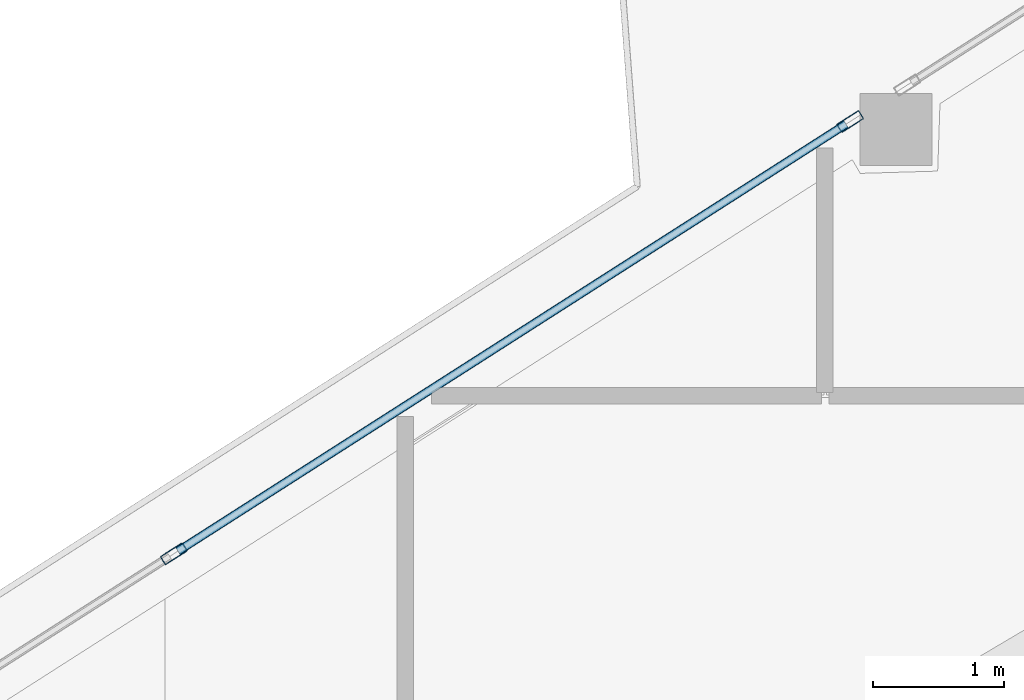
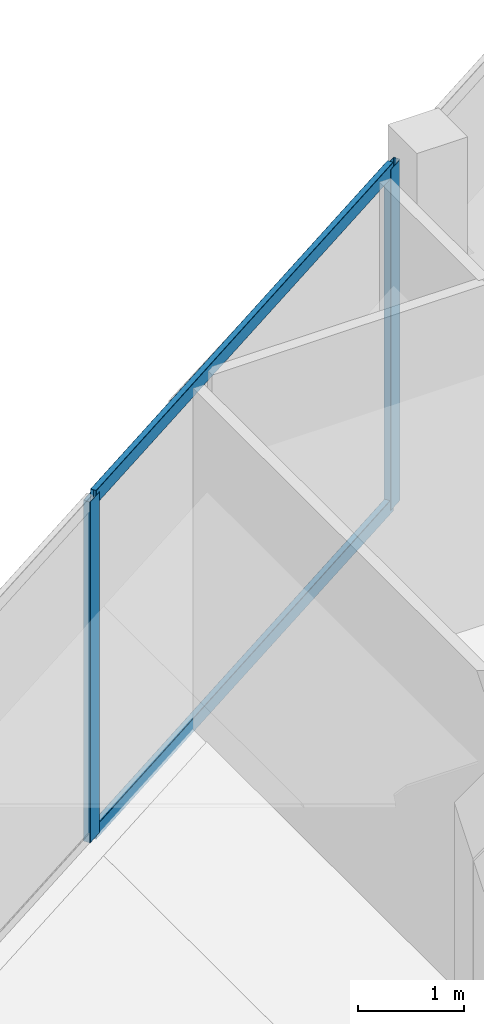
# One storey, part 12 of 27: 4 members, 1 element without a shape of its own.
"""IFC4 building model written with IfcOpenShell, lengths in metres."""

from ifc_helpers import new_model, si_unit, direction, frame, origin, origin_2d, place, context, subcontext, project, spatial, hollow_rectangle, extrude, material, layer, layer_set, material_profile, profile_set, type_object, element, aggregate, save


model = new_model("IFC4")

# Units and contexts
model_context = context("Model", 3, precision=1e-05, world=origin(), true_north=direction((0.0, 1.0)))
body_context = subcontext(model_context, "Body", "Model", "MODEL_VIEW")
ifc_project = project(units=[si_unit("LENGTHUNIT", "METRE"), si_unit("AREAUNIT", "SQUARE_METRE"), si_unit("VOLUMEUNIT", "CUBIC_METRE"), si_unit("PLANEANGLEUNIT", "RADIAN"), si_unit("MASSUNIT", "GRAM", prefix="KILO")], contexts=[model_context])

# Site, building, storey
site_placement = place(None, origin())
site = spatial("IfcSite", under=ifc_project, at=site_placement, CompositionType="ELEMENT")
building_placement = place(site_placement, origin())
building = spatial("IfcBuilding", under=site, at=building_placement, Name="Qorvath Tower", CompositionType="ELEMENT")
storey_placement = place(building_placement, frame((0.0, 0.0, 293.39990234375)))
storey = spatial("IfcBuildingStorey", under=building, at=storey_placement, Name="L68", CompositionType="ELEMENT", Elevation=293.39990234375)

# Curtain wall, members
ifc_material_1 = material(Name="Anodised aluminium and triple low-E glass", Category="aluminium")
ifc_layer = layer(ifc_material_1, 0.179931640625)
ifc_layer_set = layer_set([ifc_layer], Name="CW-SYS-5")
curtain_wall_type = type_object("IfcCurtainWallType", Name="CW-SYS-5", PredefinedType="NOTDEFINED", material=ifc_layer_set)
curtain_wall_placement = place(storey_placement, origin())
curtain_wall = element("IfcCurtainWall", 1, at=curtain_wall_placement, inside=storey, type_object=curtain_wall_type, Name="Curtain Wall CW-5 CW-T-L68-16.3", PredefinedType="NOTDEFINED")
ifc_material_2 = material(Name="Anodised aluminium 6063-T6", Category="aluminium")
ifc_material_profile_1 = material_profile(ifc_material_2, hollow_rectangle(XDim=0.074951171875, YDim=0.199951171875, WallThickness=0.00390625, InnerFilletRadius=0.00390625, OuterFilletRadius=0.008056640625, at=origin_2d()), Name="CWM 200x75")
ifc_profile_set_1 = profile_set([ifc_material_profile_1], Name="Anodised aluminium 6063-T6")
member_type_1 = type_object("IfcMemberType", Name="CWM-200", PredefinedType="MULLION", material=ifc_profile_set_1)
member_1_placement = place(storey_placement, frame((-34.455810546875, 12.85400390625, 0.0), z_axis=(0.0, 0.0, 1.0), x_axis=(0.538538485017, -0.84260091393, 0.0)))
member_1 = element("IfcMember", 2, at=member_1_placement, type_object=member_type_1, Name="CW-5 mullion 1", PredefinedType="MULLION", context=body_context, shape_type="SweptSolid", body=[
    extrude(hollow_rectangle(XDim=0.074951171875, YDim=0.199951171875, WallThickness=0.00390625, InnerFilletRadius=0.00390625, OuterFilletRadius=0.008056640625, at=origin_2d()), origin(), (0.0, 0.0, 1.0), 3.91015625),
])
member_2_placement = place(storey_placement, frame((-39.626220703125, 9.549560546875, 0.0), z_axis=(0.0, 0.0, 1.0), x_axis=(0.538538485017, -0.84260091393, 0.0)))
member_2 = element("IfcMember", 3, at=member_2_placement, type_object=member_type_1, Name="CW-5 mullion 2", PredefinedType="MULLION", context=body_context, shape_type="SweptSolid", body=[
    extrude(hollow_rectangle(XDim=0.074951171875, YDim=0.199951171875, WallThickness=0.00390625, InnerFilletRadius=0.00390625, OuterFilletRadius=0.008056640625, at=origin_2d()), origin(), (0.0, 0.0, 1.0), 3.91015625),
])
ifc_material_3 = material(Name="Anodised aluminium 6063-T6", Category="aluminium")
ifc_material_profile_2 = material_profile(ifc_material_3, hollow_rectangle(XDim=0.06494140625, YDim=0.159912109375, WallThickness=0.00341796875, InnerFilletRadius=0.00341796875, OuterFilletRadius=0.007080078125, at=origin_2d()), Name="CWT 160x65")
ifc_profile_set_2 = profile_set([ifc_material_profile_2], Name="Anodised aluminium 6063-T6")
member_type_2 = type_object("IfcMemberType", Name="CWT-160", PredefinedType="USERDEFINED", material=ifc_profile_set_2)
member_3_placement = place(storey_placement, frame((-34.487548828125, 12.833984375, 0.032470703125), z_axis=(-0.842591668599, -0.538552950051, 0.0), x_axis=(0.538552950051, -0.842591668599, 0.0)))
member_3 = element("IfcMember", 4, at=member_3_placement, type_object=member_type_2, Name="CW-5 transom 1.1", ObjectType="TRANSOM", PredefinedType="USERDEFINED", context=body_context, shape_type="SweptSolid", body=[
    extrude(hollow_rectangle(XDim=0.06494140625, YDim=0.159912109375, WallThickness=0.00341796875, InnerFilletRadius=0.00341796875, OuterFilletRadius=0.007080078125, at=origin_2d()), origin(), (0.0, 0.0, 1.0), 6.06103515625),
])
member_4_placement = place(storey_placement, frame((-34.487548828125, 12.833984375, 3.877685546875), z_axis=(-0.842591668599, -0.538552950051, 0.0), x_axis=(0.538552950051, -0.842591668599, 0.0)))
member_4 = element("IfcMember", 5, at=member_4_placement, type_object=member_type_2, Name="CW-5 transom 1.2", ObjectType="TRANSOM", PredefinedType="USERDEFINED", context=body_context, shape_type="SweptSolid", body=[
    extrude(hollow_rectangle(XDim=0.06494140625, YDim=0.159912109375, WallThickness=0.00341796875, InnerFilletRadius=0.00341796875, OuterFilletRadius=0.007080078125, at=origin_2d()), origin(), (0.0, 0.0, 1.0), 6.06103515625),
])
aggregate(curtain_wall, [member_1, member_2, member_3, member_4])

save(model, "model.ifc")
